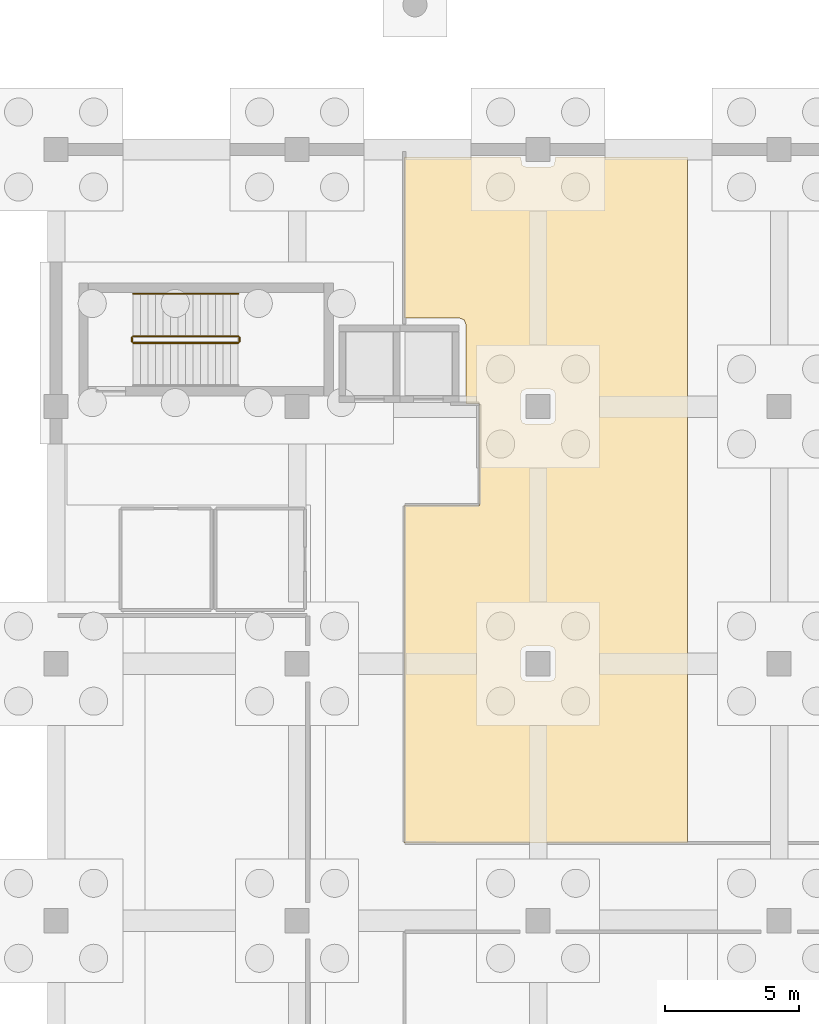
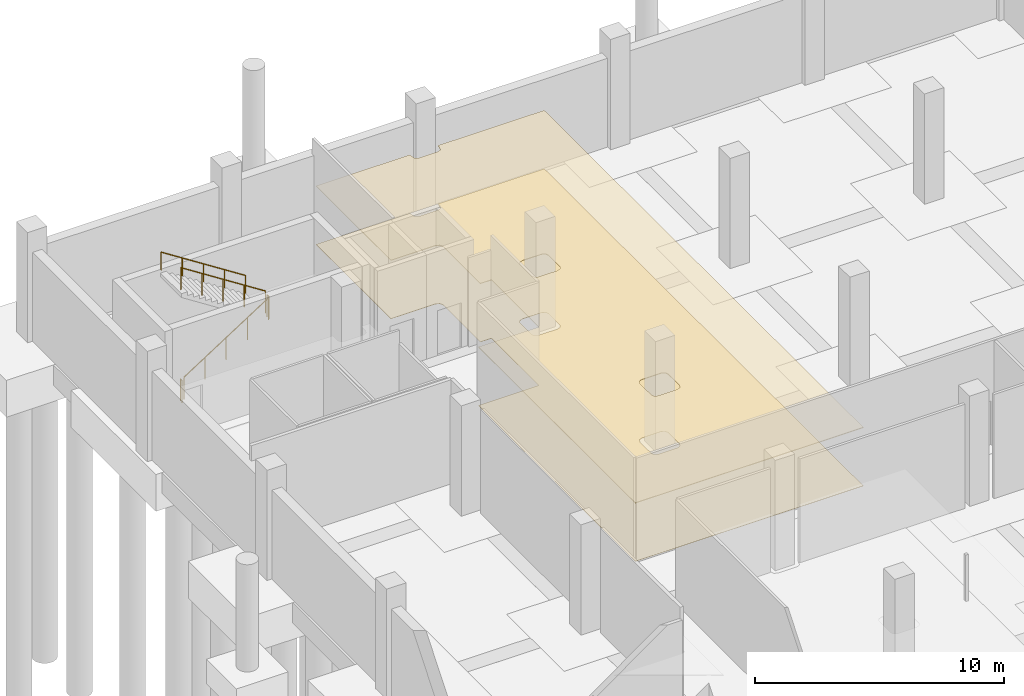
# One storey, part 21 of 22: 5 railings, 2 coverings.
"""IFC4 building model written with IfcOpenShell, lengths in metres."""

from ifc_helpers import new_model, si_unit, direction, frame, origin, origin_2d, place, context, subcontext, project, spatial, polyline, circle, outline, extrude, material, layer, layer_set, type_object, element, save


model = new_model("IFC4")

# Units and contexts
model_context = context("Model", 3, precision=1e-05, world=origin(), true_north=direction((0.0, 1.0)))
body_context = subcontext(model_context, "Body", "Model", "MODEL_VIEW")
ifc_project = project(units=[si_unit("LENGTHUNIT", "METRE"), si_unit("AREAUNIT", "SQUARE_METRE"), si_unit("VOLUMEUNIT", "CUBIC_METRE"), si_unit("PLANEANGLEUNIT", "RADIAN"), si_unit("MASSUNIT", "GRAM", prefix="KILO")], contexts=[model_context])

# Site, building, storey
site_placement = place(None, origin())
site = spatial("IfcSite", under=ifc_project, at=site_placement, CompositionType="ELEMENT")
building_placement = place(site_placement, origin())
building = spatial("IfcBuilding", under=site, at=building_placement, Name="Qorvath Tower", CompositionType="ELEMENT")
storey_placement = place(building_placement, frame((0.0, 0.0, -5.39990234375)))
storey = spatial("IfcBuildingStorey", under=building, at=storey_placement, Name="B01", CompositionType="ELEMENT", Elevation=-5.39990234375)

# Coverings
ifc_material_1 = material(Name="Acoustic mineral fibre ceiling tile", Category="gypsum")
ifc_layer_1 = layer(ifc_material_1, 0.030029296875)
ifc_layer_set_1 = layer_set([ifc_layer_1], Name="COV-CEIL")
covering_type_1 = type_object("IfcCoveringType", Name="COV-CEIL", PredefinedType="CEILING", material=ifc_layer_set_1)
covering_1_placement = place(storey_placement, frame((0.0, 0.0, 2.849853515625)))
element("IfcCovering", 1, at=covering_1_placement, inside=storey, type_object=covering_type_1, Name="B01 Suspended Acoustic Ceiling 006", PredefinedType="CEILING", context=body_context, shape_type="SweptSolid", body=[
    extrude(outline(polyline([(45.405029296875, 38.114990234375), (45.405029296875, 32.110107421875), (47.4599609375, 32.110107421875), (47.63671875, 32.036865234375), (47.7099609375, 31.860107421875), (47.69873046875, 28.9130859375), (48.212890625, 28.907958984375), (48.21142578125, 25.1083984375), (45.4130859375, 25.10693359375), (45.4130859375, 12.512939453125), (55.97509765625, 12.51025390625), (55.97509765625, 38.114990234375), (51.054931640625, 38.114990234375), (50.99609375, 37.806640625), (50.851806640625, 37.745361328125), (49.949951171875, 37.7451171875), (49.803955078125, 37.806640625), (49.7451171875, 38.114990234375), (45.405029296875, 38.114990234375)]), holes=[polyline([(50.851806640625, 29.45458984375), (50.99609375, 29.393310546875), (51.054931640625, 29.25), (51.054931640625, 28.35009765625), (50.99609375, 28.206787109375), (50.85009765625, 28.14501953125), (49.949951171875, 28.14501953125), (49.806640625, 28.203857421875), (49.7451171875, 28.35009765625), (49.7451171875, 29.25), (49.803955078125, 29.393310546875), (49.949951171875, 29.455078125), (50.851806640625, 29.45458984375)]), polyline([(50.99609375, 19.793212890625), (51.054931640625, 19.64990234375), (51.054931640625, 18.75), (50.993408203125, 18.60400390625), (50.85009765625, 18.544921875), (49.949951171875, 18.544921875), (49.803955078125, 18.606689453125), (49.7451171875, 18.75), (49.7451171875, 19.64990234375), (49.806640625, 19.796142578125), (49.949951171875, 19.85498046875), (50.85009765625, 19.85498046875), (50.99609375, 19.793212890625)])]), origin(), (0.0, 0.0, 1.0), 0.030029296875),
])
ifc_material_2 = material(Name="Polished epoxy terrazzo flooring", Category="concrete")
ifc_layer_2 = layer(ifc_material_2, 0.02001953125)
ifc_layer_set_2 = layer_set([ifc_layer_2], Name="COV-FLOOR-TRZ")
covering_type_2 = type_object("IfcCoveringType", Name="COV-FLOOR-TRZ", PredefinedType="FLOORING", material=ifc_layer_set_2)
covering_2_placement = place(storey_placement, origin())
element("IfcCovering", 2, at=covering_2_placement, inside=storey, type_object=covering_type_2, Name="B01 Floor Finish 006", PredefinedType="FLOORING", context=body_context, shape_type="SweptSolid", body=[
    extrude(outline(polyline([(45.405029296875, 38.114990234375), (45.405029296875, 32.110107421875), (47.4599609375, 32.110107421875), (47.63671875, 32.036865234375), (47.7099609375, 31.860107421875), (47.69873046875, 28.9130859375), (48.212890625, 28.907958984375), (48.21142578125, 25.1083984375), (45.4130859375, 25.10693359375), (45.4130859375, 12.512939453125), (55.97509765625, 12.51025390625), (55.97509765625, 38.114990234375), (51.054931640625, 38.114990234375), (50.99609375, 37.806640625), (50.851806640625, 37.745361328125), (49.949951171875, 37.7451171875), (49.803955078125, 37.806640625), (49.7451171875, 38.114990234375), (45.405029296875, 38.114990234375)]), holes=[polyline([(50.851806640625, 29.45458984375), (50.99609375, 29.393310546875), (51.054931640625, 29.25), (51.054931640625, 28.35009765625), (50.99609375, 28.206787109375), (50.85009765625, 28.14501953125), (49.949951171875, 28.14501953125), (49.806640625, 28.203857421875), (49.7451171875, 28.35009765625), (49.7451171875, 29.25), (49.803955078125, 29.393310546875), (49.949951171875, 29.455078125), (50.851806640625, 29.45458984375)]), polyline([(50.99609375, 19.793212890625), (51.054931640625, 19.64990234375), (51.054931640625, 18.75), (50.993408203125, 18.60400390625), (50.85009765625, 18.544921875), (49.949951171875, 18.544921875), (49.803955078125, 18.606689453125), (49.7451171875, 18.75), (49.7451171875, 19.64990234375), (49.806640625, 19.796142578125), (49.949951171875, 19.85498046875), (50.85009765625, 19.85498046875), (50.99609375, 19.793212890625)])]), origin(), (0.0, 0.0, 1.0), 0.014892578125),
])

# Railings
ifc_material_3 = material(Name="Painted galvanised steel", Category="steel")
railing_type_1 = type_object("IfcRailingType", Name="RL-STR-GRD", PredefinedType="GUARDRAIL", material=ifc_material_3)
railing_1_placement = place(storey_placement, frame((35.280029296875, 31.179931640625, 0.179931640625)))
element("IfcRailing", 3, at=railing_1_placement, inside=storey, type_object=railing_type_1, Name="B01 LS1 stair guard 1", PredefinedType="GUARDRAIL", context=body_context, shape_type="SweptSolid", body=[
    extrude(circle(Radius=0.02392578125, at=origin_2d()), frame((0.0, 0.0, 1.076171875), z_axis=(0.841171666519, 0.0, 0.540768182723), x_axis=(0.0, 1.0, 0.0)), (0.0, 0.0, 1.0), 4.66015625),
    extrude(circle(Radius=0.02099609375, at=origin_2d()), origin(), (0.0, 0.0, 1.0), 1.052001953125),
    extrude(circle(Radius=0.02099609375, at=origin_2d()), frame((0.97998046875, 0.0, 0.6298828125)), (0.0, 0.0, 1.0), 1.052001953125),
    extrude(circle(Radius=0.02099609375, at=origin_2d()), frame((1.9599609375, 0.0, 1.260009765625)), (0.0, 0.0, 1.0), 1.052001953125),
    extrude(circle(Radius=0.02099609375, at=origin_2d()), frame((2.93994140625, 0.0, 1.89013671875)), (0.0, 0.0, 1.0), 1.052001953125),
    extrude(circle(Radius=0.02099609375, at=origin_2d()), frame((3.919921875, 0.0, 2.52001953125)), (0.0, 0.0, 1.0), 1.052001953125),
])
railing_2_placement = place(storey_placement, frame((39.25, 31.22998046875, 2.699951171875)))
element("IfcRailing", 4, at=railing_2_placement, inside=storey, type_object=railing_type_1, Name="B01 LS1 stair guard 2", PredefinedType="GUARDRAIL", context=body_context, shape_type="SweptSolid", body=[
    extrude(circle(Radius=0.02392578125, at=origin_2d()), frame((0.0, 0.0, 1.076171875), z_axis=(0.0, 1.0, 0.0), x_axis=(-1.0, 0.0, 0.0)), (0.0, 0.0, 1.0), 0.14990234375),
    extrude(circle(Radius=0.02099609375, at=origin_2d()), origin(), (0.0, 0.0, 1.0), 1.052001953125),
    extrude(circle(Radius=0.02099609375, at=origin_2d()), frame((0.0, 0.14990234375, 0.0)), (0.0, 0.0, 1.0), 1.052001953125),
])
railing_3_placement = place(storey_placement, frame((39.199951171875, 31.429931640625, 2.8798828125)))
element("IfcRailing", 5, at=railing_3_placement, inside=storey, type_object=railing_type_1, Name="B01 LS1 stair guard 3", PredefinedType="GUARDRAIL", context=body_context, shape_type="SweptSolid", body=[
    extrude(circle(Radius=0.02392578125, at=origin_2d()), frame((0.0, 0.0, 1.076171875), z_axis=(-0.841171666519, 0.0, 0.540768182723), x_axis=(0.0, -1.0, 0.0)), (0.0, 0.0, 1.0), 4.66015625),
    extrude(circle(Radius=0.02099609375, at=origin_2d()), origin(), (0.0, 0.0, 1.0), 1.052001953125),
    extrude(circle(Radius=0.02099609375, at=origin_2d()), frame((-0.97998046875, 0.0, 0.6298828125)), (0.0, 0.0, 1.0), 1.052001953125),
    extrude(circle(Radius=0.02099609375, at=origin_2d()), frame((-1.9599609375, 0.0, 1.260009765625)), (0.0, 0.0, 1.0), 1.052001953125),
    extrude(circle(Radius=0.02099609375, at=origin_2d()), frame((-2.93994140625, 0.0, 1.89013671875)), (0.0, 0.0, 1.0), 1.052001953125),
    extrude(circle(Radius=0.02099609375, at=origin_2d()), frame((-3.919921875, 0.0, 2.52001953125)), (0.0, 0.0, 1.0), 1.052001953125),
])
railing_4_placement = place(storey_placement, frame((35.22998046875, 31.22998046875, 0.0)))
element("IfcRailing", 6, at=railing_4_placement, inside=storey, type_object=railing_type_1, Name="B01 LS1 stair guard 4", PredefinedType="GUARDRAIL", context=body_context, shape_type="SweptSolid", body=[
    extrude(circle(Radius=0.02392578125, at=origin_2d()), frame((0.0, 0.0, 1.076171875), z_axis=(0.0, 1.0, 0.0), x_axis=(-1.0, 0.0, 0.0)), (0.0, 0.0, 1.0), 0.14990234375),
    extrude(circle(Radius=0.02099609375, at=origin_2d()), origin(), (0.0, 0.0, 1.0), 1.052001953125),
    extrude(circle(Radius=0.02099609375, at=origin_2d()), frame((0.0, 0.14990234375, 0.0)), (0.0, 0.0, 1.0), 1.052001953125),
])
ifc_material_4 = material(Name="Brushed stainless steel AISI 304", Category="steel")
railing_type_2 = type_object("IfcRailingType", Name="RL-STR-HND", PredefinedType="HANDRAIL", material=ifc_material_4)
railing_5_placement = place(storey_placement, frame((39.199951171875, 33.010009765625, 2.8798828125)))
element("IfcRailing", 7, at=railing_5_placement, inside=storey, type_object=railing_type_2, Name="B01 LS1 stair handrail 2", PredefinedType="HANDRAIL", context=body_context, shape_type="SweptSolid", body=[
    extrude(circle(Radius=0.02392578125, at=origin_2d()), frame((0.0, 0.0, 0.8759765625), z_axis=(-0.841171666519, 0.0, 0.540768182723), x_axis=(0.0, -1.0, 0.0)), (0.0, 0.0, 1.0), 4.66015625),
    extrude(circle(Radius=0.02099609375, at=origin_2d()), origin(), (0.0, 0.0, 1.0), 0.851806640625),
    extrude(circle(Radius=0.02099609375, at=origin_2d()), frame((-0.97998046875, 0.0, 0.6298828125)), (0.0, 0.0, 1.0), 0.851806640625),
    extrude(circle(Radius=0.02099609375, at=origin_2d()), frame((-1.9599609375, 0.0, 1.260009765625)), (0.0, 0.0, 1.0), 0.851806640625),
    extrude(circle(Radius=0.02099609375, at=origin_2d()), frame((-2.93994140625, 0.0, 1.89013671875)), (0.0, 0.0, 1.0), 0.851806640625),
    extrude(circle(Radius=0.02099609375, at=origin_2d()), frame((-3.919921875, 0.0, 2.52001953125)), (0.0, 0.0, 1.0), 0.851806640625),
])

save(model, "model.ifc")
